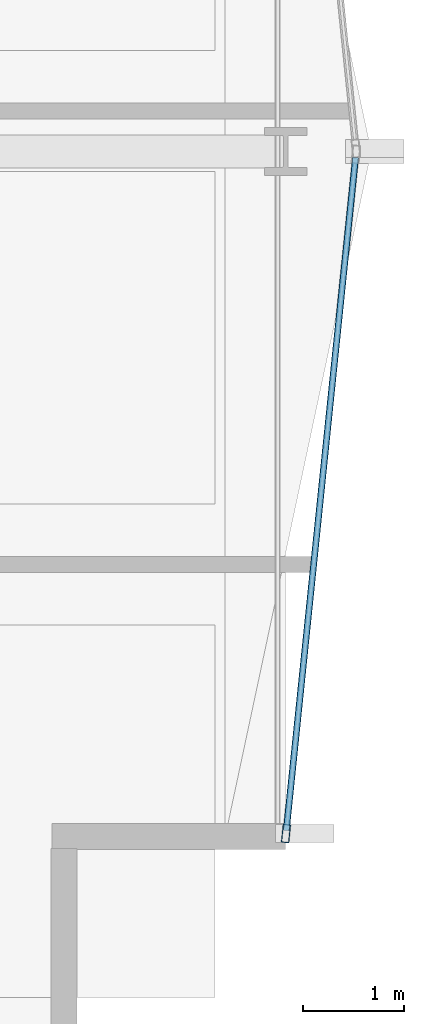
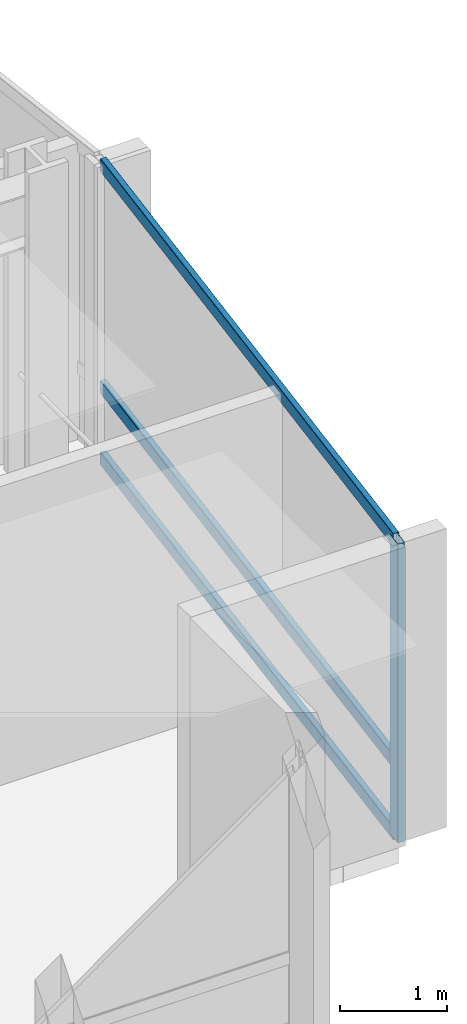
# One storey, part 13 of 34: 4 members, 1 element without a shape of its own.
"""IFC4 building model written with IfcOpenShell, lengths in metres."""

from ifc_helpers import new_model, si_unit, direction, frame, origin, origin_2d, place, context, subcontext, project, spatial, hollow_rectangle, extrude, material, layer, layer_set, material_profile, profile_set, type_object, element, aggregate, save


model = new_model("IFC4")

# Units and contexts
model_context = context("Model", 3, precision=1e-05, world=origin(), true_north=direction((0.0, 1.0)))
body_context = subcontext(model_context, "Body", "Model", "MODEL_VIEW")
ifc_project = project(units=[si_unit("LENGTHUNIT", "METRE"), si_unit("AREAUNIT", "SQUARE_METRE"), si_unit("VOLUMEUNIT", "CUBIC_METRE"), si_unit("PLANEANGLEUNIT", "RADIAN"), si_unit("MASSUNIT", "GRAM", prefix="KILO")], contexts=[model_context])

# Site, building, storey
site_placement = place(None, origin())
site = spatial("IfcSite", under=ifc_project, at=site_placement, CompositionType="ELEMENT")
building_placement = place(site_placement, origin())
building = spatial("IfcBuilding", under=site, at=building_placement, Name="Solvaryn Broadcast Tower", CompositionType="ELEMENT")
storey_placement = place(building_placement, frame((0.0, 0.0, 92.800048828125)))
storey = spatial("IfcBuildingStorey", under=building, at=storey_placement, Name="L22", CompositionType="ELEMENT", Elevation=92.800048828125)

# Curtain wall, members
ifc_material_1 = material(Name="Aluminium and Terracotta Unitised Curtain Wall", Category="masonry")
ifc_layer = layer(ifc_material_1, 0.199951171875)
ifc_layer_set = layer_set([ifc_layer], Name="CW-SYS2-LOWMID")
curtain_wall_type = type_object("IfcCurtainWallType", Name="CW-SYS2-LOWMID", PredefinedType="NOTDEFINED", material=ifc_layer_set)
curtain_wall_placement = place(storey_placement, origin())
curtain_wall = element("IfcCurtainWall", 1, at=curtain_wall_placement, inside=storey, type_object=curtain_wall_type, Name="L22 Curtain Wall ET2", PredefinedType="NOTDEFINED")
ifc_material_2 = material(Name="Anodised Aluminium 6063-T6", Category="aluminium")
ifc_material_profile_1 = material_profile(ifc_material_2, hollow_rectangle(XDim=0.074951171875, YDim=0.179931640625, WallThickness=0.00390625, InnerFilletRadius=0.00390625, OuterFilletRadius=0.008056640625, at=origin_2d()))
ifc_profile_set_1 = profile_set([ifc_material_profile_1], Name="Anodised Aluminium 6063-T6")
member_type_1 = type_object("IfcMemberType", Name="CW-MUL-180", PredefinedType="MULLION", material=ifc_profile_set_1)
member_1_placement = place(storey_placement, frame((63.003173828125, 11.229736328125, 0.0), z_axis=(0.0, 0.0, 1.0), x_axis=(0.99474329889, -0.10240004548, 0.0)))
member_1 = element("IfcMember", 2, at=member_1_placement, type_object=member_type_1, Name="CWS2 mullion 2", PredefinedType="MULLION", context=body_context, shape_type="SweptSolid", body=[
    extrude(hollow_rectangle(XDim=0.074951171875, YDim=0.179931640625, WallThickness=0.00390625, InnerFilletRadius=0.00390625, OuterFilletRadius=0.008056640625, at=origin_2d()), origin(), (0.0, 0.0, 1.0), 3.419921875),
])
ifc_material_3 = material(Name="Anodised Aluminium 6063-T6", Category="aluminium")
ifc_material_profile_2 = material_profile(ifc_material_3, hollow_rectangle(XDim=0.06494140625, YDim=0.14990234375, WallThickness=0.00390625, InnerFilletRadius=0.00390625, OuterFilletRadius=0.008056640625, at=origin_2d()))
ifc_profile_set_2 = profile_set([ifc_material_profile_2], Name="Anodised Aluminium 6063-T6")
member_type_2 = type_object("IfcMemberType", Name="CW-TRN-150", PredefinedType="USERDEFINED", material=ifc_profile_set_2)
member_2_placement = place(storey_placement, frame((63.69384765625, 17.9404296875, 0.030029296875), z_axis=(-0.102404277363, -0.994742863245, 0.0), x_axis=(0.994742863245, -0.102404277363, 0.0)))
member_2 = element("IfcMember", 3, at=member_2_placement, type_object=member_type_2, Name="CWS2 transom 1.1", ObjectType="TRANSOM", PredefinedType="USERDEFINED", context=body_context, shape_type="SweptSolid", body=[
    extrude(hollow_rectangle(XDim=0.06494140625, YDim=0.14990234375, WallThickness=0.00390625, InnerFilletRadius=0.00390625, OuterFilletRadius=0.008056640625, at=origin_2d()), origin(), (0.0, 0.0, 1.0), 6.716064453125),
])
member_3_placement = place(storey_placement, frame((63.69384765625, 17.9404296875, 0.849853515625), z_axis=(-0.102404277363, -0.994742863245, 0.0), x_axis=(0.994742863245, -0.102404277363, 0.0)))
member_3 = element("IfcMember", 4, at=member_3_placement, type_object=member_type_2, Name="CWS2 transom 1.2", ObjectType="TRANSOM", PredefinedType="USERDEFINED", context=body_context, shape_type="SweptSolid", body=[
    extrude(hollow_rectangle(XDim=0.06494140625, YDim=0.14990234375, WallThickness=0.00390625, InnerFilletRadius=0.00390625, OuterFilletRadius=0.008056640625, at=origin_2d()), origin(), (0.0, 0.0, 1.0), 6.716064453125),
])
member_4_placement = place(storey_placement, frame((63.69384765625, 17.9404296875, 3.389892578125), z_axis=(-0.102404277363, -0.994742863245, 0.0), x_axis=(0.994742863245, -0.102404277363, 0.0)))
member_4 = element("IfcMember", 5, at=member_4_placement, type_object=member_type_2, Name="CWS2 transom 1.3", ObjectType="TRANSOM", PredefinedType="USERDEFINED", context=body_context, shape_type="SweptSolid", body=[
    extrude(hollow_rectangle(XDim=0.06494140625, YDim=0.14990234375, WallThickness=0.00390625, InnerFilletRadius=0.00390625, OuterFilletRadius=0.008056640625, at=origin_2d()), origin(), (0.0, 0.0, 1.0), 6.716064453125),
])
aggregate(curtain_wall, [member_1, member_2, member_3, member_4])

save(model, "model.ifc")
